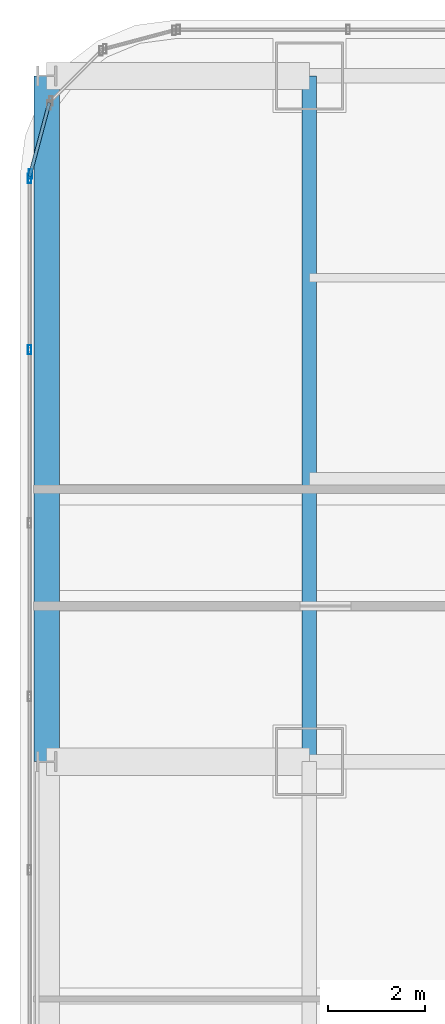
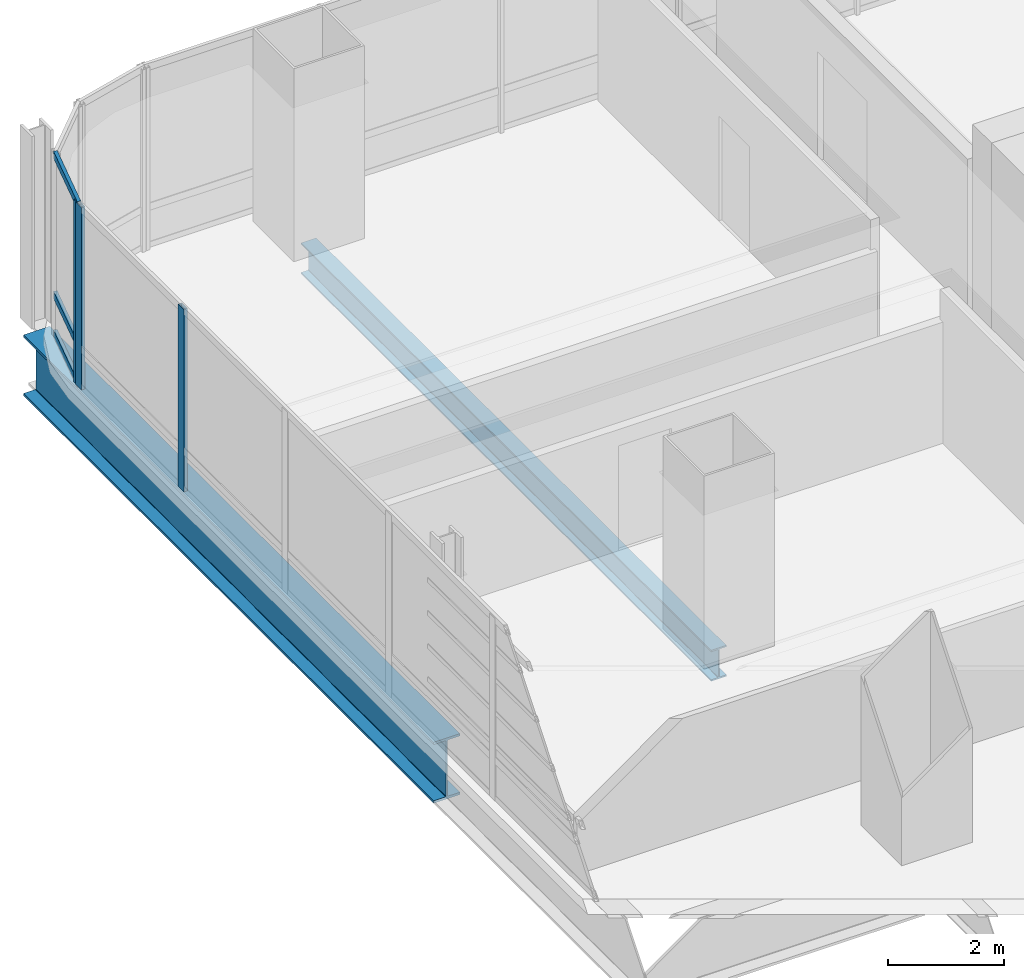
# One storey, part 18 of 36: 6 members, 2 beams, 2 elements without a shape of their own.
"""IFC4 building model written with IfcOpenShell, lengths in metres."""

from ifc_helpers import new_model, si_unit, direction, frame, origin, origin_2d, place, context, subcontext, project, spatial, hollow_rectangle, i_section, extrude, material, material_profile, profile_set, type_object, element, aggregate, save


model = new_model("IFC4")

# Units and contexts
model_context = context("Model", 3, precision=1e-05, world=origin(), true_north=direction((0.0, 1.0)))
body_context = subcontext(model_context, "Body", "Model", "MODEL_VIEW")
ifc_project = project(units=[si_unit("LENGTHUNIT", "METRE"), si_unit("AREAUNIT", "SQUARE_METRE"), si_unit("VOLUMEUNIT", "CUBIC_METRE"), si_unit("PLANEANGLEUNIT", "RADIAN"), si_unit("MASSUNIT", "GRAM", prefix="KILO")], contexts=[model_context])

# Site, building, storey
site_placement = place(None, origin())
site = spatial("IfcSite", under=ifc_project, at=site_placement, CompositionType="ELEMENT")
building_placement = place(site_placement, origin())
building = spatial("IfcBuilding", under=site, at=building_placement, Name="Punatoya Terracotta Tower", CompositionType="ELEMENT")
storey_placement = place(building_placement, frame((0.0, 0.0, 184.35009765625)))
storey = spatial("IfcBuildingStorey", under=building, at=storey_placement, Name="L43", CompositionType="ELEMENT", Elevation=184.35009765625)

# Beams
ifc_material_1 = material(Name="Steel S355", Category="steel")
ifc_material_profile_1 = material_profile(ifc_material_1, i_section(OverallWidth=0.300048828125, OverallDepth=0.64990234375, WebThickness=0.01611328125, FlangeThickness=0.031005859375, FilletRadius=0.01806640625, at=origin_2d()))
ifc_profile_set_1 = profile_set([ifc_material_profile_1], Name="Steel S355")
beam_type_1 = type_object("IfcBeamType", Name="BM-PRI-650", PredefinedType="BEAM", material=ifc_profile_set_1)
beam_1_placement = place(storey_placement, frame((-19.10009765625, 3.39990234375, -0.545166015625), z_axis=(0.0, 1.0, 0.0), x_axis=(-1.0, 0.0, 0.0)))
element("IfcBeam", 1, at=beam_1_placement, inside=storey, type_object=beam_type_1, Name="BM-L43-RG-W3", PredefinedType="BEAM", context=body_context, shape_type="SweptSolid", body=[
    extrude(i_section(OverallWidth=0.300048828125, OverallDepth=0.64990234375, WebThickness=0.01611328125, FlangeThickness=0.031005859375, FilletRadius=0.01806640625, at=origin_2d()), origin(), (0.0, 0.0, 1.0), 14.10009765625),
])
ifc_material_2 = material(Name="Steel S460", Category="steel")
ifc_material_profile_2 = material_profile(ifc_material_2, i_section(OverallWidth=0.52001953125, OverallDepth=1.280029296875, WebThickness=0.031982421875, FlangeThickness=0.050048828125, FilletRadius=0.01806640625, at=origin_2d()))
ifc_profile_set_2 = profile_set([ifc_material_profile_2], Name="Steel S460")
beam_type_2 = type_object("IfcBeamType", Name="BM-TG-NCK", PredefinedType="BEAM", material=ifc_profile_set_2)
beam_2_placement = place(storey_placement, frame((-24.5, 3.39990234375, -0.860107421875), z_axis=(0.0, 1.0, 0.0), x_axis=(-1.0, 0.0, 0.0)))
element("IfcBeam", 2, at=beam_2_placement, inside=storey, type_object=beam_type_2, Name="BM-L43-PER-W3", PredefinedType="BEAM", context=body_context, shape_type="SweptSolid", body=[
    extrude(i_section(OverallWidth=0.52001953125, OverallDepth=1.280029296875, WebThickness=0.031982421875, FlangeThickness=0.050048828125, FilletRadius=0.01806640625, at=origin_2d()), origin(), (0.0, 0.0, 1.0), 14.10009765625),
])

# Curtain wall, member
ifc_material_3 = material(Name="Aluminium 6063-T6 + Double Low-E Glass", Category="aluminium")
curtain_wall_type = type_object("IfcCurtainWallType", Name="CW-M2", PredefinedType="NOTDEFINED", material=ifc_material_3)
curtain_wall_1_placement = place(storey_placement, origin())
curtain_wall_1 = element("IfcCurtainWall", 3, at=curtain_wall_1_placement, inside=storey, type_object=curtain_wall_type, Name="L43 Curtain Wall CW-L43-CRN12", PredefinedType="NOTDEFINED")
ifc_material_4 = material(Name="Aluminium 6063-T6", Category="aluminium")
ifc_material_profile_3 = material_profile(ifc_material_4, hollow_rectangle(XDim=0.072021484375, YDim=0.195068359375, WallThickness=0.00439453125, at=origin_2d()))
ifc_profile_set_3 = profile_set([ifc_material_profile_3], Name="Aluminium 6063-T6")
member_type_1 = type_object("IfcMemberType", Name="CW-MUL-M2", PredefinedType="MULLION", material=ifc_profile_set_3)
member_1_placement = place(storey_placement, frame((-24.83837890625, 15.48046875, 0.0), z_axis=(0.0, 0.0, 1.0), x_axis=(1.0, 0.0, 0.0)))
member_1 = element("IfcMember", 4, at=member_1_placement, type_object=member_type_1, Name="CW-L43-CRN12 Mullion 01", PredefinedType="MULLION", context=body_context, shape_type="SweptSolid", body=[
    extrude(hollow_rectangle(XDim=0.072021484375, YDim=0.195068359375, WallThickness=0.00439453125, at=origin_2d()), origin(), (0.0, 0.0, 1.0), 3.829833984375),
])

# Curtain wall, members
curtain_wall_2_placement = place(storey_placement, origin())
curtain_wall_2 = element("IfcCurtainWall", 5, at=curtain_wall_2_placement, inside=storey, type_object=curtain_wall_type, Name="L43 Curtain Wall CW-L43-W13-1", PredefinedType="NOTDEFINED")
member_2_placement = place(storey_placement, frame((-24.85009765625, 15.391845703125, 0.0), z_axis=(0.0, 0.0, 1.0), x_axis=(1.0, 0.0, 0.0)))
member_2 = element("IfcMember", 6, at=member_2_placement, type_object=member_type_1, Name="CW-L43-W13-1 Mullion 00", PredefinedType="MULLION", context=body_context, shape_type="SweptSolid", body=[
    extrude(hollow_rectangle(XDim=0.072021484375, YDim=0.195068359375, WallThickness=0.00439453125, at=origin_2d()), origin(), (0.0, 0.0, 1.0), 3.829833984375),
])
member_3_placement = place(storey_placement, frame((-24.85009765625, 11.869384765625, 0.0), z_axis=(0.0, 0.0, 1.0), x_axis=(1.0, 0.0, 0.0)))
member_3 = element("IfcMember", 7, at=member_3_placement, type_object=member_type_1, Name="CW-L43-W13-1 Mullion 01", PredefinedType="MULLION", context=body_context, shape_type="SweptSolid", body=[
    extrude(hollow_rectangle(XDim=0.072021484375, YDim=0.195068359375, WallThickness=0.00439453125, at=origin_2d()), origin(), (0.0, 0.0, 1.0), 3.829833984375),
])
aggregate(curtain_wall_2, [member_2, member_3])

# Member
ifc_material_profile_4 = material_profile(ifc_material_4, hollow_rectangle(XDim=0.068115234375, YDim=0.14990234375, WallThickness=0.00390625, at=origin_2d()))
ifc_profile_set_4 = profile_set([ifc_material_profile_4], Name="Aluminium 6063-T6")
member_type_2 = type_object("IfcMemberType", Name="CW-TRN-TYP", PredefinedType="USERDEFINED", material=ifc_profile_set_4)
member_4_placement = place(storey_placement, frame((-24.446533203125, 16.94921875, 0.039794921875), z_axis=(-0.257847112249, -0.966185730957, 0.0), x_axis=(0.966185730957, -0.257847112249, 0.0)))
member_4 = element("IfcMember", 8, at=member_4_placement, type_object=member_type_2, Name="CW-L43-CRN12 Transom 1", ObjectType="TRANSOM", PredefinedType="USERDEFINED", context=body_context, shape_type="SweptSolid", body=[
    extrude(hollow_rectangle(XDim=0.068115234375, YDim=0.14990234375, WallThickness=0.00390625, at=origin_2d()), origin(), (0.0, 0.0, 1.0), 1.565185546875),
])

member_5_placement = place(storey_placement, frame((-24.446533203125, 16.94921875, 0.849853515625), z_axis=(-0.257847112249, -0.966185730957, 0.0), x_axis=(0.966185730957, -0.257847112249, 0.0)))
member_5 = element("IfcMember", 9, at=member_5_placement, type_object=member_type_2, Name="CW-L43-CRN12 Transom 2", ObjectType="TRANSOM", PredefinedType="USERDEFINED", context=body_context, shape_type="SweptSolid", body=[
    extrude(hollow_rectangle(XDim=0.068115234375, YDim=0.14990234375, WallThickness=0.00390625, at=origin_2d()), origin(), (0.0, 0.0, 1.0), 1.565185546875),
])

member_6_placement = place(storey_placement, frame((-24.446533203125, 16.94921875, 3.789794921875), z_axis=(-0.257847112249, -0.966185730957, 0.0), x_axis=(0.966185730957, -0.257847112249, 0.0)))
member_6 = element("IfcMember", 10, at=member_6_placement, type_object=member_type_2, Name="CW-L43-CRN12 Transom 3", ObjectType="TRANSOM", PredefinedType="USERDEFINED", context=body_context, shape_type="SweptSolid", body=[
    extrude(hollow_rectangle(XDim=0.068115234375, YDim=0.14990234375, WallThickness=0.00390625, at=origin_2d()), origin(), (0.0, 0.0, 1.0), 1.565185546875),
])

aggregate(curtain_wall_1, [member_1, member_4, member_5, member_6])

save(model, "model.ifc")
